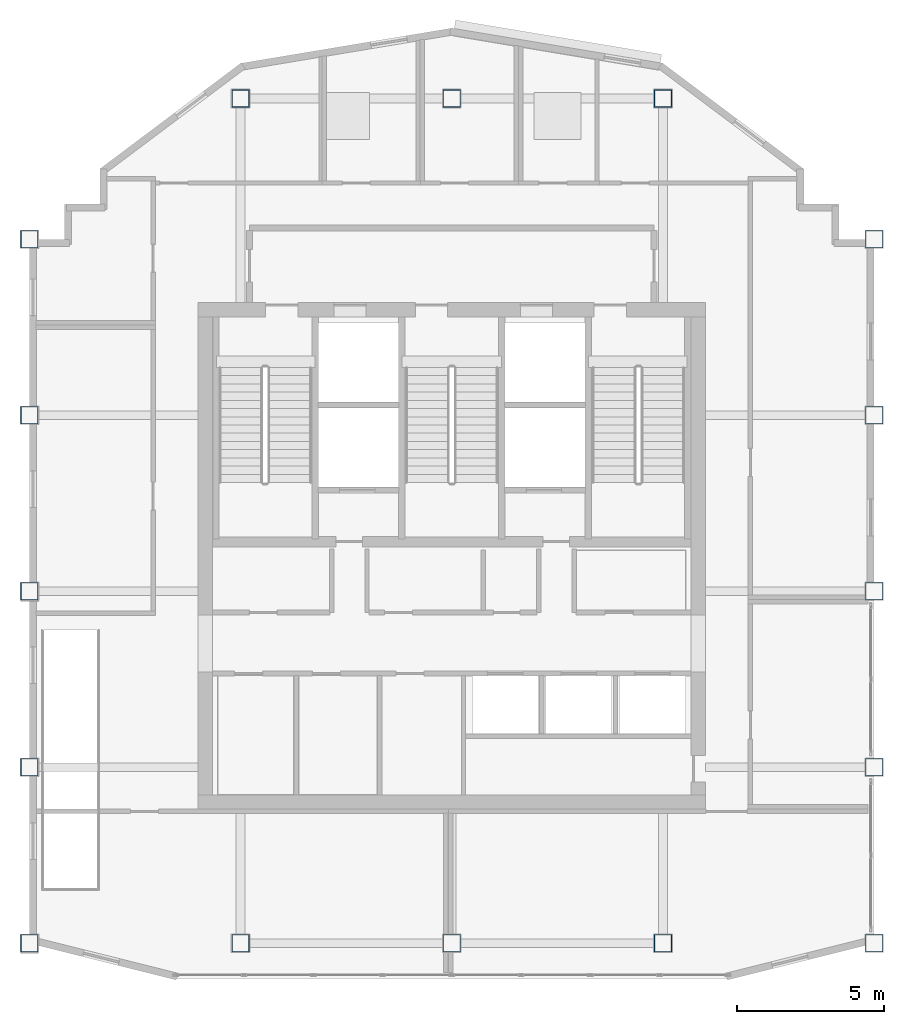
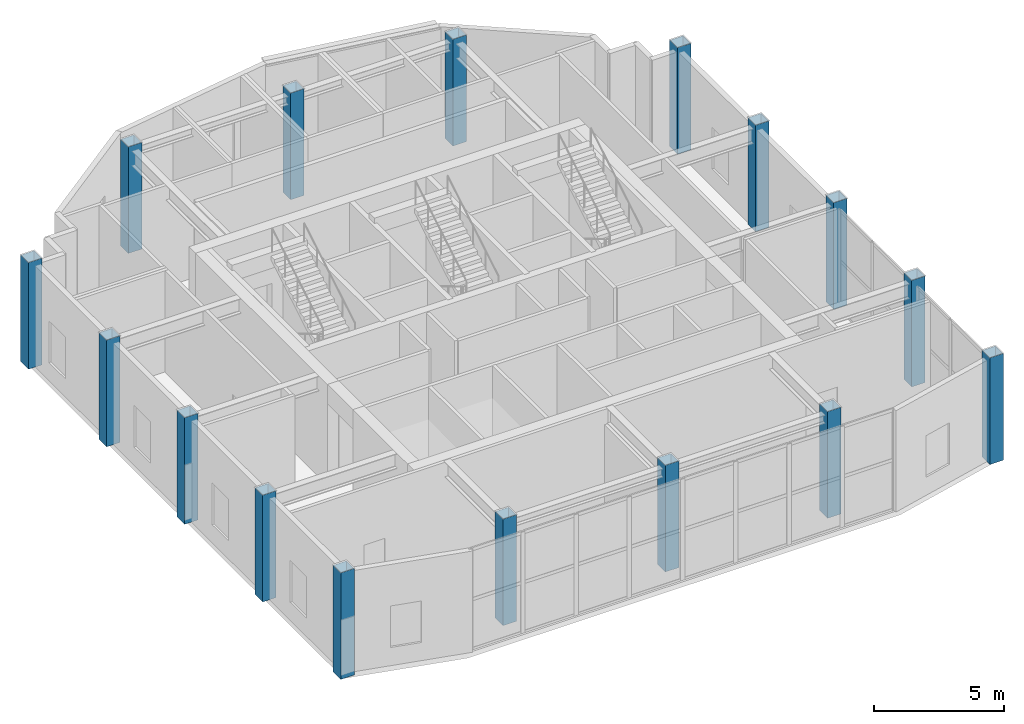
# One storey, part 1 of 11: 16 columns.
"""IFC4 building model written with IfcOpenShell, lengths in metres."""

from ifc_helpers import new_model, si_unit, direction, frame, origin, origin_2d, place, context, subcontext, project, spatial, hollow_rectangle, extrude, material, material_profile, profile_set, type_object, element, save


model = new_model("IFC4")

# Units and contexts
model_context = context("Model", 3, precision=1e-05, world=origin(), true_north=direction((0.0, 1.0)))
body_context = subcontext(model_context, "Body", "Model", "MODEL_VIEW")
ifc_project = project(units=[si_unit("LENGTHUNIT", "METRE"), si_unit("AREAUNIT", "SQUARE_METRE"), si_unit("VOLUMEUNIT", "CUBIC_METRE"), si_unit("PLANEANGLEUNIT", "RADIAN"), si_unit("MASSUNIT", "GRAM", prefix="KILO")], contexts=[model_context])

# Site, building, storey
site_placement = place(None, origin())
site = spatial("IfcSite", under=ifc_project, at=site_placement, CompositionType="ELEMENT")
building_placement = place(site_placement, origin())
building = spatial("IfcBuilding", under=site, at=building_placement, Name="Haolan Belvedere Tower", CompositionType="ELEMENT")
storey_placement = place(building_placement, frame((0.0, 0.0, 323.199951171875)))
storey = spatial("IfcBuildingStorey", under=building, at=storey_placement, Name="L81", CompositionType="ELEMENT", Elevation=323.199951171875)

# Columns
ifc_material = material(Name="Steel Q390GJC", Category="steel")
ifc_material_profile = material_profile(ifc_material, hollow_rectangle(XDim=0.60009765625, YDim=0.60009765625, WallThickness=0.02392578125, at=origin_2d()), Name="Steel Q390GJC")
ifc_profile_set = profile_set([ifc_material_profile], Name="Steel Q390GJC")
column_type = type_object("IfcColumnType", Name="COL-BOX600x600x24", PredefinedType="COLUMN", material=ifc_profile_set)
for number, where, z_axis, x_axis, name in (
    (1, (24.0, 21.60009765625, 0.0), (0.0, 0.0, 1.0), (1.0, 0.0, 0.0), "L81 column MC-T3-SW (BOX600x600x24)"),
    (2, (24.0, 33.60009765625, 0.0), (0.0, 0.0, 1.0), (1.0, 0.0, 0.0), "L81 column MC-T3-MW (BOX600x600x24)"),
    (3, (24.0, 45.60009765625, 0.0), (0.0, 0.0, 1.0), (1.0, 0.0, 0.0), "L81 column MC-T3-NW (BOX600x600x24)"),
    (4, (52.800048828125, 21.60009765625, 0.0), (0.0, 0.0, 1.0), (1.0, 0.0, 0.0), "L81 column MC-T3-SE (BOX600x600x24)"),
    (5, (52.800048828125, 33.60009765625, 0.0), (0.0, 0.0, 1.0), (1.0, 0.0, 0.0), "L81 column MC-T3-ME (BOX600x600x24)"),
    (6, (52.800048828125, 45.60009765625, 0.0), (0.0, 0.0, 1.0), (1.0, 0.0, 0.0), "L81 column MC-T3-NE (BOX600x600x24)"),
    (7, (31.199951171875, 21.60009765625, 0.0), (0.0, 0.0, 1.0), (1.0, 0.0, 0.0), "L81 column MC-T3-S1 (BOX600x600x24)"),
    (8, (45.60009765625, 21.60009765625, 0.0), (0.0, 0.0, 1.0), (1.0, 0.0, 0.0), "L81 column MC-T3-S2 (BOX600x600x24)"),
    (9, (31.199951171875, 50.39990234375, 0.0), (0.0, 0.0, 1.0), (1.0, 0.0, 0.0), "L81 column MC-T3-N1 (BOX600x600x24)"),
    (10, (45.60009765625, 50.39990234375, 0.0), (0.0, 0.0, 1.0), (1.0, 0.0, 0.0), "L81 column MC-T3-N2 (BOX600x600x24)"),
    (11, (24.0, 27.60009765625, 0.0), (0.0, 0.0, 1.0), (1.0, 0.0, 0.0), "L81 column TC-T3-W1 (BOX600x600x24)"),
    (12, (24.0, 39.60009765625, 0.0), (0.0, 0.0, 1.0), (1.0, 0.0, 0.0), "L81 column TC-T3-W2 (BOX600x600x24)"),
    (13, (52.800048828125, 27.60009765625, 0.0), (0.0, 0.0, 1.0), (1.0, 0.0, 0.0), "L81 column TC-T3-E1 (BOX600x600x24)"),
    (14, (52.800048828125, 39.60009765625, 0.0), (0.0, 0.0, 1.0), (1.0, 0.0, 0.0), "L81 column TC-T3-E2 (BOX600x600x24)"),
    (15, (38.39990234375, 21.60009765625, 0.0), (0.0, 0.0, 1.0), (1.0, 0.0, 0.0), "L81 column TC-T3-SM (BOX600x600x24)"),
    (16, (38.39990234375, 50.39990234375, 0.0), (0.0, 0.0, 1.0), (1.0, 0.0, 0.0), "L81 column TC-T3-NM (BOX600x600x24)"),
):
    element("IfcColumn", number, at=place(storey_placement, frame(where, z_axis=z_axis, x_axis=x_axis)), inside=storey, type_object=column_type, Name=name, PredefinedType="COLUMN", context=body_context, shape_type="SweptSolid", body=[
        extrude(hollow_rectangle(XDim=0.60009765625, YDim=0.60009765625, WallThickness=0.02392578125, at=origin_2d()), origin(), (0.0, 0.0, 1.0), 5.0),
    ])

save(model, "model.ifc")
